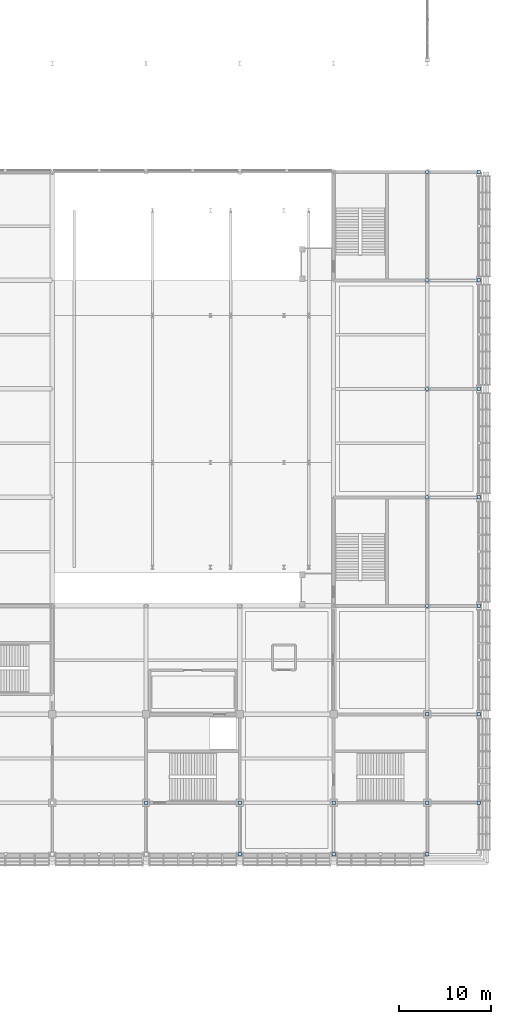
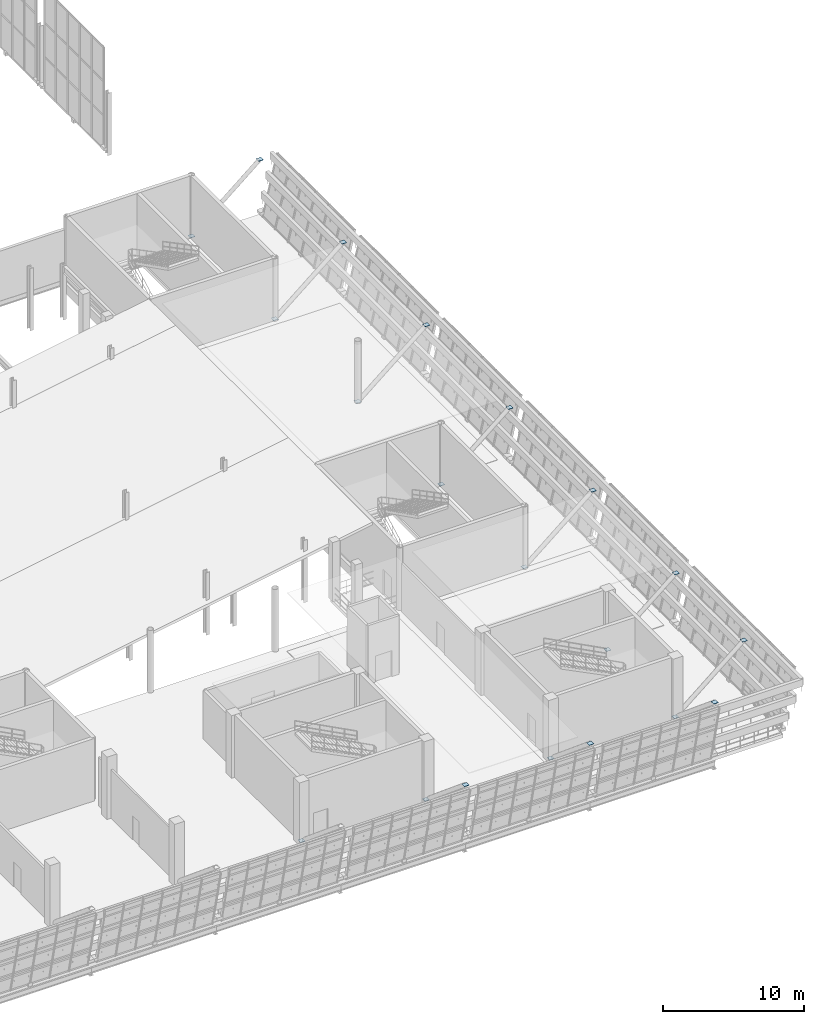
# One storey, part 126 of 175: 20 plates.
"""IFC4 building model written with IfcOpenShell, lengths in metres."""

from ifc_helpers import new_model, si_unit, direction, frame, origin, origin_2d, place, context, subcontext, project, spatial, rectangle, extrude, material, layer, layer_set, type_object, element, save


model = new_model("IFC4")

# Units and contexts
model_context = context("Model", 3, precision=1e-05, world=origin(), true_north=direction((0.0, 1.0)))
body_context = subcontext(model_context, "Body", "Model", "MODEL_VIEW")
ifc_project = project(units=[si_unit("LENGTHUNIT", "METRE"), si_unit("AREAUNIT", "SQUARE_METRE"), si_unit("VOLUMEUNIT", "CUBIC_METRE"), si_unit("PLANEANGLEUNIT", "RADIAN"), si_unit("MASSUNIT", "GRAM", prefix="KILO")], contexts=[model_context])

# Site, building, storey
site_placement = place(None, origin())
site = spatial("IfcSite", under=ifc_project, at=site_placement, CompositionType="ELEMENT")
building_placement = place(site_placement, origin())
building = spatial("IfcBuilding", under=site, at=building_placement, Name="Brelvane Convention Centre", CompositionType="ELEMENT")
storey_placement = place(building_placement, frame((0.0, 0.0, 5.39990234375)))
storey = spatial("IfcBuildingStorey", under=building, at=storey_placement, Name="L01", CompositionType="ELEMENT", Elevation=5.39990234375)

# Plates
ifc_material = material(Name="Steel E450 (450 MPa)", Category="steel")
ifc_layer = layer(ifc_material, 0.02490234375)
ifc_layer_set = layer_set([ifc_layer], Name="Steel E450 (450 MPa)")
plate_type = type_object("IfcPlateType", Name="Steel Node Gusset Plate ND-3", PredefinedType="SHEET", material=ifc_layer_set)
for number, where, z_axis, x_axis, name in (
    (1, (193.800048828125, 19.199951171875, 0.03759765625), (0.0, 0.0, 1.0), (1.0, 0.0, 0.0), "Raked Strut Node V1-L01-20-bot"),
    (2, (204.0, 19.199951171875, 0.03759765625), (0.0, 0.0, 1.0), (1.0, 0.0, 0.0), "Raked Strut Node V1-L01-21-bot"),
    (3, (204.0, 13.60009765625, 4.707763671875), (0.0, 0.0, 1.0), (1.0, 0.0, 0.0), "Raked Strut Node V1-L01-21-top"),
    (4, (214.199951171875, 19.199951171875, 0.03759765625), (0.0, 0.0, 1.0), (1.0, 0.0, 0.0), "Raked Strut Node V1-L01-22-bot"),
    (5, (214.199951171875, 13.60009765625, 4.707763671875), (0.0, 0.0, 1.0), (1.0, 0.0, 0.0), "Raked Strut Node V1-L01-22-top"),
    (6, (224.39990234375, 19.199951171875, 0.03759765625), (0.0, 0.0, 1.0), (1.0, 0.0, 0.0), "Raked Strut Node V1-L01-23-bot"),
    (7, (224.39990234375, 13.60009765625, 4.707763671875), (0.0, 0.0, 1.0), (1.0, 0.0, 0.0), "Raked Strut Node V1-L01-23-top"),
    (8, (230.0, 19.199951171875, 4.707763671875), (0.0, 0.0, 1.0), (1.0, 0.0, 0.0), "Plenary Strut Node L02-Y19-top"),
    (9, (224.39990234375, 28.800048828125, 0.03759765625), (0.0, 0.0, 1.0), (1.0, 0.0, 0.0), "Plenary Strut Node L02-Y28-bot"),
    (10, (230.0, 28.800048828125, 4.707763671875), (0.0, 0.0, 1.0), (1.0, 0.0, 0.0), "Plenary Strut Node L02-Y28-top"),
    (11, (224.39990234375, 40.60009765625, 0.03759765625), (0.0, 0.0, 1.0), (1.0, 0.0, 0.0), "Plenary Strut Node L02-Y40-bot"),
    (12, (230.0, 40.60009765625, 4.707763671875), (0.0, 0.0, 1.0), (1.0, 0.0, 0.0), "Plenary Strut Node L02-Y40-top"),
    (13, (224.39990234375, 52.39990234375, 0.03759765625), (0.0, 0.0, 1.0), (1.0, 0.0, 0.0), "Plenary Strut Node L02-Y52-bot"),
    (14, (230.0, 52.39990234375, 4.707763671875), (0.0, 0.0, 1.0), (1.0, 0.0, 0.0), "Plenary Strut Node L02-Y52-top"),
    (15, (224.39990234375, 64.199951171875, 0.03759765625), (0.0, 0.0, 1.0), (1.0, 0.0, 0.0), "Plenary Strut Node L02-Y64-bot"),
    (16, (230.0, 64.199951171875, 4.707763671875), (0.0, 0.0, 1.0), (1.0, 0.0, 0.0), "Plenary Strut Node L02-Y64-top"),
    (17, (224.39990234375, 76.0, 0.03759765625), (0.0, 0.0, 1.0), (1.0, 0.0, 0.0), "Plenary Strut Node L02-Y76-bot"),
    (18, (230.0, 76.0, 4.707763671875), (0.0, 0.0, 1.0), (1.0, 0.0, 0.0), "Plenary Strut Node L02-Y76-top"),
    (19, (224.39990234375, 87.800048828125, 0.03759765625), (0.0, 0.0, 1.0), (1.0, 0.0, 0.0), "Plenary Strut Node L02-Y87-bot"),
    (20, (230.0, 87.800048828125, 4.707763671875), (0.0, 0.0, 1.0), (1.0, 0.0, 0.0), "Plenary Strut Node L02-Y87-top"),
):
    element("IfcPlate", number, at=place(storey_placement, frame(where, z_axis=z_axis, x_axis=x_axis)), inside=storey, type_object=plate_type, Name=name, PredefinedType="SHEET", context=body_context, shape_type="SweptSolid", body=[
        extrude(rectangle(XDim=0.3798828125, YDim=0.3798828125, at=origin_2d()), origin(), (0.0, 0.0, 1.0), 0.02490234375),
    ])

save(model, "model.ifc")
